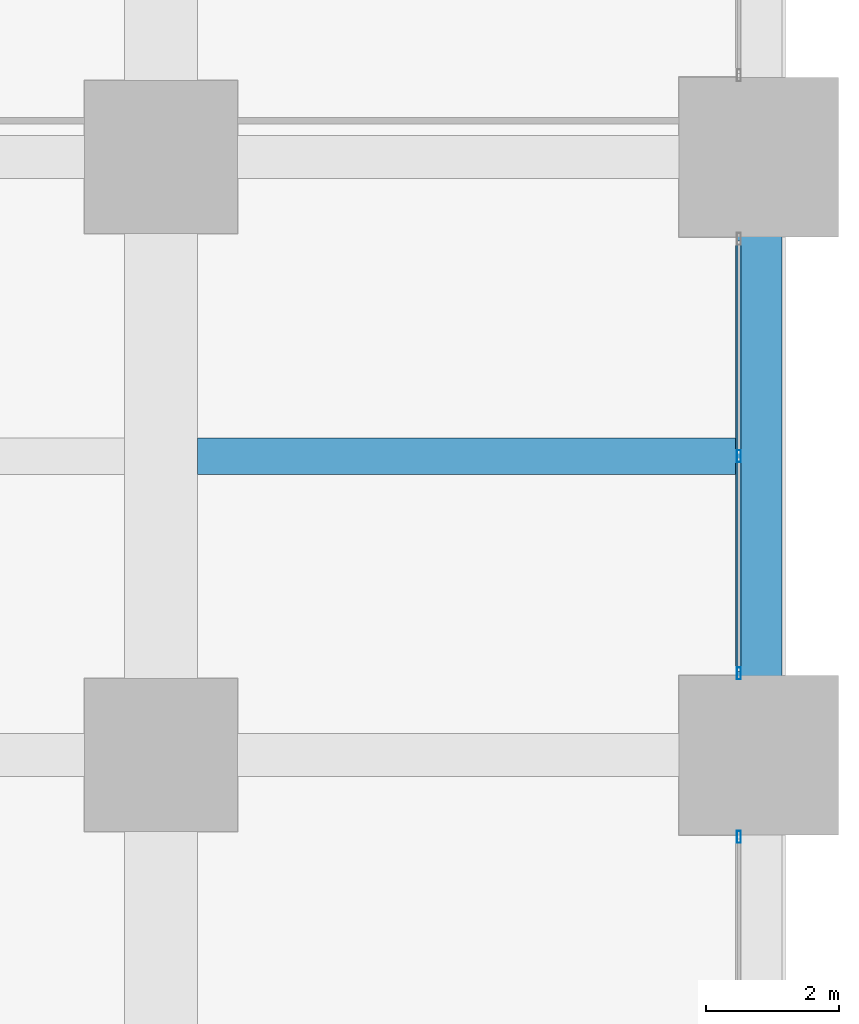
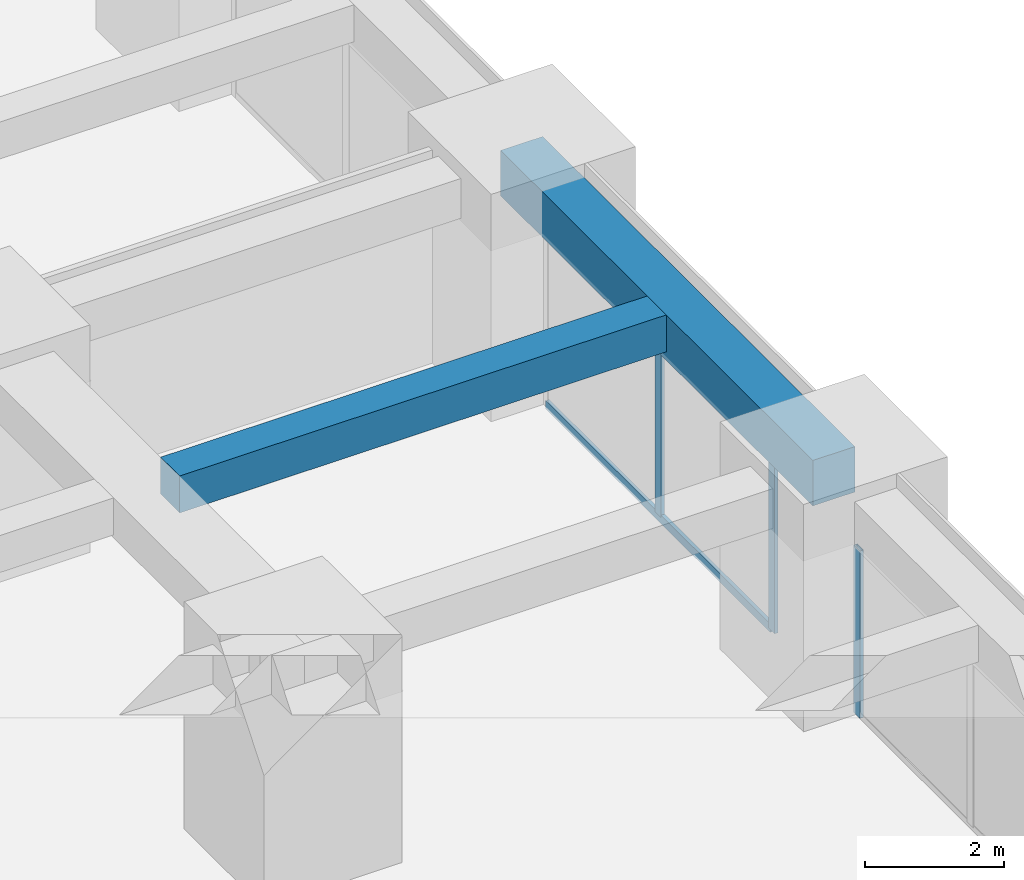
# One storey, part 22 of 45: 4 members, 2 beams, 2 elements without a shape of their own.
"""IFC4 building model written with IfcOpenShell, lengths in metres."""

from ifc_helpers import new_model, si_unit, direction, frame, origin, origin_2d, place, context, subcontext, project, spatial, rectangle, hollow_rectangle, extrude, material, material_profile, profile_set, type_object, element, aggregate, save


model = new_model("IFC4")

# Units and contexts
model_context = context("Model", 3, precision=1e-05, world=origin(), true_north=direction((0.0, 1.0)))
body_context = subcontext(model_context, "Body", "Model", "MODEL_VIEW")
ifc_project = project(units=[si_unit("LENGTHUNIT", "METRE"), si_unit("AREAUNIT", "SQUARE_METRE"), si_unit("VOLUMEUNIT", "CUBIC_METRE"), si_unit("PLANEANGLEUNIT", "RADIAN"), si_unit("MASSUNIT", "GRAM", prefix="KILO")], contexts=[model_context])

# Site, building, storey
site_placement = place(None, origin())
site = spatial("IfcSite", under=ifc_project, at=site_placement, CompositionType="ELEMENT")
building_placement = place(site_placement, origin())
building = spatial("IfcBuilding", under=site, at=building_placement, Name="Zorevar Civic Tower", CompositionType="ELEMENT")
storey_placement = place(building_placement, frame((0.0, 0.0, 47.800048828125)))
storey = spatial("IfcBuildingStorey", under=building, at=storey_placement, Name="L11", CompositionType="ELEMENT", Elevation=47.800048828125)

# Beam
ifc_material_1 = material(Name="Concrete C50/60", Category="concrete")
ifc_material_profile_1 = material_profile(ifc_material_1, rectangle(XDim=0.550048828125, YDim=0.64990234375, at=origin_2d()), Name="RC 550x650")
ifc_profile_set_1 = profile_set([ifc_material_profile_1], Name="Concrete C50/60")
beam_type_1 = type_object("IfcBeamType", Name="Beam RC 550x650", PredefinedType="BEAM", material=ifc_profile_set_1)
beam_1_placement = place(storey_placement, frame((54.550048828125, 31.5, 3.425048828125), z_axis=(1.0, 0.0, 0.0), x_axis=(0.0, 1.0, 0.0)))
element("IfcBeam", 1, at=beam_1_placement, inside=storey, type_object=beam_type_1, Name="Secondary beam L12", PredefinedType="BEAM", context=body_context, shape_type="SweptSolid", body=[
    extrude(rectangle(XDim=0.550048828125, YDim=0.64990234375, at=origin_2d()), origin(), (0.0, 0.0, 1.0), 8.099853515625),
])

# Curtain wall, member
ifc_material_2 = material(Name="Dark grey solar-control glass in black aluminium frame", Category="aluminium")
curtain_wall_type = type_object("IfcCurtainWallType", Name="Curtain wall CW2 low zone", PredefinedType="NOTDEFINED", material=ifc_material_2)
curtain_wall_1_placement = place(storey_placement, origin())
curtain_wall_1 = element("IfcCurtainWall", 2, at=curtain_wall_1_placement, inside=storey, type_object=curtain_wall_type, Name="CW2 L11", PredefinedType="NOTDEFINED")
ifc_material_3 = material(Name="Aluminium, black anodised", Category="aluminium")
ifc_material_profile_2 = material_profile(ifc_material_3, hollow_rectangle(XDim=0.06005859375, YDim=0.179931640625, WallThickness=0.00390625, at=origin_2d()), Name="AL 180x60x4")
ifc_profile_set_2 = profile_set([ifc_material_profile_2], Name="Aluminium, black anodised")
member_type_1 = type_object("IfcMemberType", Name="CW2 mullion AL 180x60x4", PredefinedType="MULLION", material=ifc_profile_set_2)
member_1_placement = place(storey_placement, frame((62.699951171875, 25.77001953125, 0.0), z_axis=(0.0, 0.0, 1.0), x_axis=(-1.0, 0.0, 0.0)))
member_1 = element("IfcMember", 3, at=member_1_placement, type_object=member_type_1, Name="CW2 mullion 3", PredefinedType="MULLION", context=body_context, shape_type="SweptSolid", body=[
    extrude(hollow_rectangle(XDim=0.06005859375, YDim=0.179931640625, WallThickness=0.00390625, at=origin_2d()), origin(), (0.0, 0.0, 1.0), 2.949951171875),
])
aggregate(curtain_wall_1, [member_1])

# Curtain wall, members
curtain_wall_2_placement = place(storey_placement, origin())
curtain_wall_2 = element("IfcCurtainWall", 4, at=curtain_wall_2_placement, inside=storey, type_object=curtain_wall_type, Name="CW2 L11", PredefinedType="NOTDEFINED")
member_2_placement = place(storey_placement, frame((62.699951171875, 28.22998046875, 0.0), z_axis=(0.0, 0.0, 1.0), x_axis=(-1.0, 0.0, 0.0)))
member_2 = element("IfcMember", 5, at=member_2_placement, type_object=member_type_1, Name="CW2 mullion 1", PredefinedType="MULLION", context=body_context, shape_type="SweptSolid", body=[
    extrude(hollow_rectangle(XDim=0.06005859375, YDim=0.179931640625, WallThickness=0.00390625, at=origin_2d()), origin(), (0.0, 0.0, 1.0), 2.949951171875),
])
member_3_placement = place(storey_placement, frame((62.699951171875, 31.5, 0.06005859375), z_axis=(0.0, 0.0, 1.0), x_axis=(-1.0, 0.0, 0.0)))
member_3 = element("IfcMember", 6, at=member_3_placement, type_object=member_type_1, Name="CW2 mullion 2", PredefinedType="MULLION", context=body_context, shape_type="SweptSolid", body=[
    extrude(hollow_rectangle(XDim=0.06005859375, YDim=0.179931640625, WallThickness=0.00390625, at=origin_2d()), origin(), (0.0, 0.0, 1.0), 2.889892578125),
])
ifc_material_4 = material(Name="Aluminium, black anodised", Category="aluminium")
ifc_material_profile_3 = material_profile(ifc_material_4, hollow_rectangle(XDim=0.06005859375, YDim=0.14990234375, WallThickness=0.00390625, at=origin_2d()), Name="AL 150x60x4")
ifc_profile_set_3 = profile_set([ifc_material_profile_3], Name="Aluminium, black anodised")
member_type_2 = type_object("IfcMemberType", Name="CW2 transom AL 150x60x4", PredefinedType="USERDEFINED", material=ifc_profile_set_3)
member_4_placement = place(storey_placement, frame((62.699951171875, 28.260009765625, 0.030029296875), z_axis=(0.0, 1.0, 0.0), x_axis=(-1.0, 0.0, 0.0)))
member_4 = element("IfcMember", 7, at=member_4_placement, type_object=member_type_2, Name="CW2 sill transom", ObjectType="TRANSOM", PredefinedType="USERDEFINED", context=body_context, shape_type="SweptSolid", body=[
    extrude(hollow_rectangle(XDim=0.06005859375, YDim=0.14990234375, WallThickness=0.00390625, at=origin_2d()), origin(), (0.0, 0.0, 1.0), 6.47998046875),
])
aggregate(curtain_wall_2, [member_2, member_3, member_4])

# Beam
ifc_material_5 = material(Name="Concrete C50/60", Category="concrete")
ifc_material_profile_4 = material_profile(ifc_material_5, rectangle(XDim=0.699951171875, YDim=0.800048828125, at=origin_2d()), Name="RC 700x800")
ifc_profile_set_4 = profile_set([ifc_material_profile_4], Name="Concrete C50/60")
beam_type_2 = type_object("IfcBeamType", Name="Edge beam RC 700x800", PredefinedType="SPANDREL", material=ifc_profile_set_4)
beam_2_placement = place(storey_placement, frame((63.0, 27.0, 3.349853515625), z_axis=(0.0, 1.0, 0.0), x_axis=(-1.0, 0.0, 0.0)))
element("IfcBeam", 8, at=beam_2_placement, inside=storey, type_object=beam_type_2, Name="Edge beam L12", PredefinedType="SPANDREL", context=body_context, shape_type="SweptSolid", body=[
    extrude(rectangle(XDim=0.699951171875, YDim=0.800048828125, at=origin_2d()), origin(), (0.0, 0.0, 1.0), 9.0),
])

save(model, "model.ifc")
